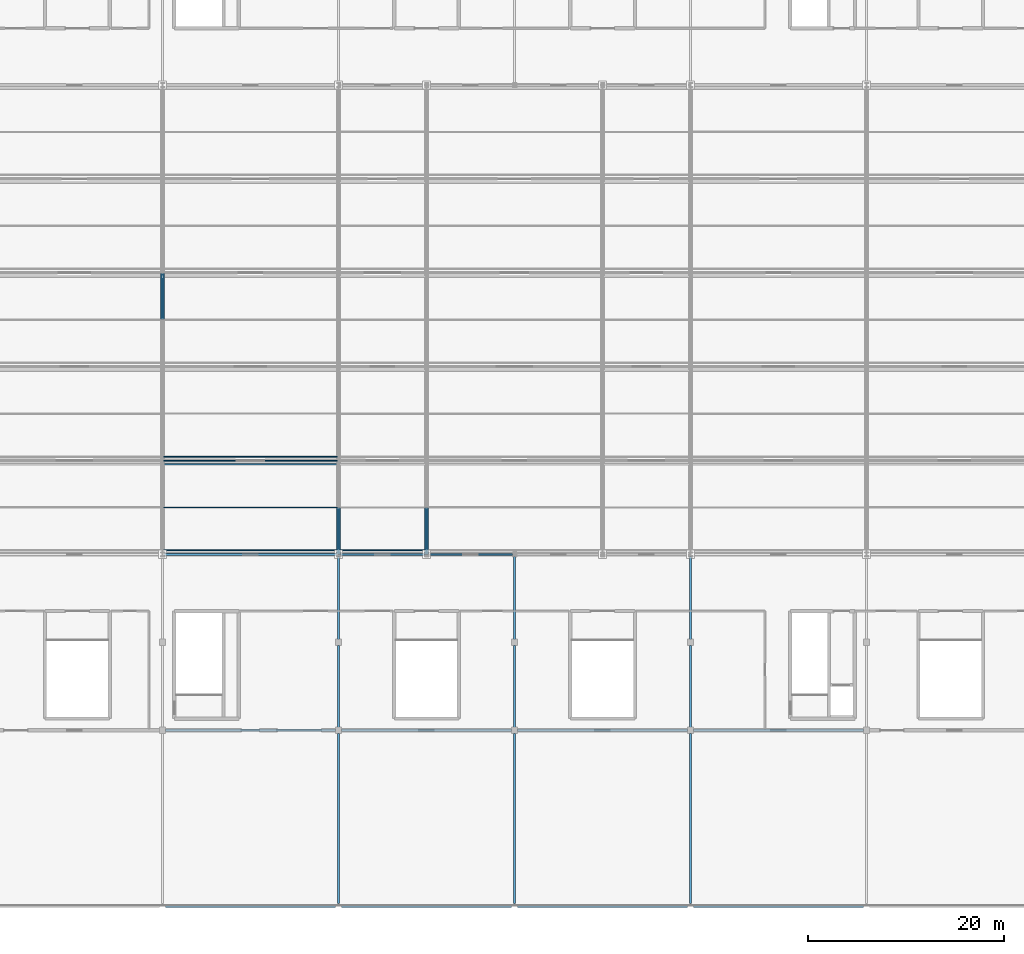
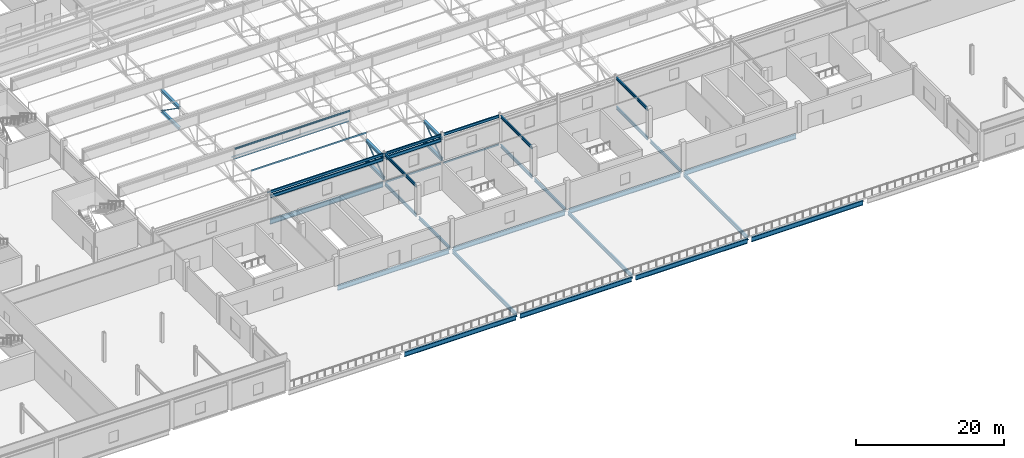
# One storey, part 21 of 136: 34 beams, 9 members.
"""IFC4 building model written with IfcOpenShell, lengths in metres."""

from ifc_helpers import new_model, si_unit, direction, frame, origin, origin_2d, place, context, subcontext, project, spatial, hollow_rectangle, hollow_circle, i_section, u_section, extrude, material, material_profile, profile_set, type_object, element, save


model = new_model("IFC4")

# Units and contexts
model_context = context("Model", 3, precision=1e-05, world=origin(), true_north=direction((0.0, 1.0)))
body_context = subcontext(model_context, "Body", "Model", "MODEL_VIEW")
ifc_project = project(units=[si_unit("LENGTHUNIT", "METRE"), si_unit("AREAUNIT", "SQUARE_METRE"), si_unit("VOLUMEUNIT", "CUBIC_METRE"), si_unit("PLANEANGLEUNIT", "RADIAN"), si_unit("MASSUNIT", "GRAM", prefix="KILO")], contexts=[model_context])

# Site, building, storey
site_placement = place(None, origin())
site = spatial("IfcSite", under=ifc_project, at=site_placement, CompositionType="ELEMENT")
building_placement = place(site_placement, origin())
building = spatial("IfcBuilding", under=site, at=building_placement, Name="Kisiwana Market Hall", CompositionType="ELEMENT")
storey_placement = place(building_placement, frame((0.0, 0.0, 16.800048828125)))
storey = spatial("IfcBuildingStorey", under=building, at=storey_placement, Name="L03", CompositionType="ELEMENT", Elevation=16.800048828125)

# Beams
ifc_material_1 = material(Name="Steel S355", Category="steel")
ifc_material_profile_1 = material_profile(ifc_material_1, i_section(OverallWidth=0.19140625, OverallDepth=0.4599609375, WebThickness=0.010009765625, FlangeThickness=0.01611328125, at=origin_2d()), Name="UB 457x191x82")
ifc_profile_set_1 = profile_set([ifc_material_profile_1], Name="Steel S355")
beam_type_1 = type_object("IfcBeamType", Name="BM-GIRD-UB457H", PredefinedType="BEAM", material=ifc_profile_set_1)
beam_1_placement = place(storey_placement, frame((63.201904296875, 36.0, 4.27783203125), z_axis=(1.0, 0.0, 0.0), x_axis=(0.0, 1.0, 0.0)))
element("IfcBeam", 1, at=beam_1_placement, inside=storey, type_object=beam_type_1, Name="Roof girder B-1138", PredefinedType="BEAM", context=body_context, shape_type="SweptSolid", body=[
    extrude(i_section(OverallWidth=0.19140625, OverallDepth=0.4599609375, WebThickness=0.010009765625, FlangeThickness=0.01611328125, at=origin_2d()), origin(), (0.0, 0.0, 1.0), 17.59619140625),
])
for number, where, z_axis, x_axis, name in (
    (2, (81.201904296875, 36.0, 4.27783203125), (1.0, 0.0, 0.0), (0.0, 1.0, 0.0), "Roof girder B-1139"),
    (3, (90.201904296875, 36.0, 4.27783203125), (1.0, 0.0, 0.0), (0.0, 1.0, 0.0), "Roof girder B-1140"),
):
    element("IfcBeam", number, at=place(storey_placement, frame(where, z_axis=z_axis, x_axis=x_axis)), inside=storey, type_object=beam_type_1, Name=name, PredefinedType="BEAM", context=body_context, shape_type="SweptSolid", body=[
        extrude(i_section(OverallWidth=0.19140625, OverallDepth=0.4599609375, WebThickness=0.010009765625, FlangeThickness=0.01611328125, at=origin_2d()), origin(), (0.0, 0.0, 1.0), 8.59619140625),
    ])
for number, where, z_axis, x_axis, name in (
    (4, (81.0, 27.321044921875, 4.27783203125), (0.0, 1.0, 0.0), (-1.0, 0.0, 0.0), "Roof girder B-1146"),
    (5, (99.0, 27.321044921875, 4.27783203125), (0.0, 1.0, 0.0), (-1.0, 0.0, 0.0), "Roof girder B-1147"),
    (6, (117.0, 27.321044921875, 4.27783203125), (0.0, 1.0, 0.0), (-1.0, 0.0, 0.0), "Roof girder B-1148"),
):
    element("IfcBeam", number, at=place(storey_placement, frame(where, z_axis=z_axis, x_axis=x_axis)), inside=storey, type_object=beam_type_1, Name=name, PredefinedType="BEAM", context=body_context, shape_type="SweptSolid", body=[
        extrude(i_section(OverallWidth=0.19140625, OverallDepth=0.4599609375, WebThickness=0.010009765625, FlangeThickness=0.01611328125, at=origin_2d()), origin(), (0.0, 0.0, 1.0), 8.465576171875),
    ])
ifc_material_2 = material(Name="Steel S355", Category="steel")
ifc_material_profile_2 = material_profile(ifc_material_2, i_section(OverallWidth=0.209228515625, OverallDepth=0.533203125, WebThickness=0.010009765625, FlangeThickness=0.015625, at=origin_2d()), Name="UB 533x210x92")
ifc_profile_set_2 = profile_set([ifc_material_profile_2], Name="Steel S355")
beam_type_2 = type_object("IfcBeamType", Name="BM-GIRD-UB533", PredefinedType="BEAM", material=ifc_profile_set_2)
beam_2_placement = place(storey_placement, frame((81.0, 18.321044921875, -0.5166015625), z_axis=(0.0, 1.0, 0.0), x_axis=(-1.0, 0.0, 0.0)))
element("IfcBeam", 7, at=beam_2_placement, inside=storey, type_object=beam_type_2, Name="Primary girder B-0890", PredefinedType="BEAM", context=body_context, shape_type="SweptSolid", body=[
    extrude(i_section(OverallWidth=0.209228515625, OverallDepth=0.533203125, WebThickness=0.010009765625, FlangeThickness=0.015625, at=origin_2d()), origin(), (0.0, 0.0, 1.0), 8.35791015625),
])
beam_3_placement = place(storey_placement, frame((81.0, 27.321044921875, -0.5166015625), z_axis=(0.0, 1.0, 0.0), x_axis=(-1.0, 0.0, 0.0)))
element("IfcBeam", 8, at=beam_3_placement, inside=storey, type_object=beam_type_2, Name="Primary girder B-0891", PredefinedType="BEAM", context=body_context, shape_type="SweptSolid", body=[
    extrude(i_section(OverallWidth=0.209228515625, OverallDepth=0.533203125, WebThickness=0.010009765625, FlangeThickness=0.015625, at=origin_2d()), origin(), (0.0, 0.0, 1.0), 8.465576171875),
])
beam_4_placement = place(storey_placement, frame((99.0, 18.321044921875, -0.5166015625), z_axis=(0.0, 1.0, 0.0), x_axis=(-1.0, 0.0, 0.0)))
element("IfcBeam", 9, at=beam_4_placement, inside=storey, type_object=beam_type_2, Name="Primary girder B-0896", PredefinedType="BEAM", context=body_context, shape_type="SweptSolid", body=[
    extrude(i_section(OverallWidth=0.209228515625, OverallDepth=0.533203125, WebThickness=0.010009765625, FlangeThickness=0.015625, at=origin_2d()), origin(), (0.0, 0.0, 1.0), 8.35791015625),
])
beam_5_placement = place(storey_placement, frame((99.0, 27.321044921875, -0.5166015625), z_axis=(0.0, 1.0, 0.0), x_axis=(-1.0, 0.0, 0.0)))
element("IfcBeam", 10, at=beam_5_placement, inside=storey, type_object=beam_type_2, Name="Primary girder B-0897", PredefinedType="BEAM", context=body_context, shape_type="SweptSolid", body=[
    extrude(i_section(OverallWidth=0.209228515625, OverallDepth=0.533203125, WebThickness=0.010009765625, FlangeThickness=0.015625, at=origin_2d()), origin(), (0.0, 0.0, 1.0), 8.465576171875),
])
beam_6_placement = place(storey_placement, frame((117.0, 18.321044921875, -0.5166015625), z_axis=(0.0, 1.0, 0.0), x_axis=(-1.0, 0.0, 0.0)))
element("IfcBeam", 11, at=beam_6_placement, inside=storey, type_object=beam_type_2, Name="Primary girder B-0902", PredefinedType="BEAM", context=body_context, shape_type="SweptSolid", body=[
    extrude(i_section(OverallWidth=0.209228515625, OverallDepth=0.533203125, WebThickness=0.010009765625, FlangeThickness=0.015625, at=origin_2d()), origin(), (0.0, 0.0, 1.0), 8.35791015625),
])
beam_7_placement = place(storey_placement, frame((117.0, 27.321044921875, -0.5166015625), z_axis=(0.0, 1.0, 0.0), x_axis=(-1.0, 0.0, 0.0)))
element("IfcBeam", 12, at=beam_7_placement, inside=storey, type_object=beam_type_2, Name="Primary girder B-0903", PredefinedType="BEAM", context=body_context, shape_type="SweptSolid", body=[
    extrude(i_section(OverallWidth=0.209228515625, OverallDepth=0.533203125, WebThickness=0.010009765625, FlangeThickness=0.015625, at=origin_2d()), origin(), (0.0, 0.0, 1.0), 8.465576171875),
])
beam_8_placement = place(storey_placement, frame((63.199951171875, 36.0, 3.54345703125), z_axis=(1.0, 0.0, 0.0), x_axis=(0.0, 1.0, 0.0)))
element("IfcBeam", 13, at=beam_8_placement, inside=storey, type_object=beam_type_2, Name="Truss eaves tie B-1165", PredefinedType="BEAM", context=body_context, shape_type="SweptSolid", body=[
    extrude(i_section(OverallWidth=0.209228515625, OverallDepth=0.533203125, WebThickness=0.010009765625, FlangeThickness=0.015625, at=origin_2d()), origin(), (0.0, 0.0, 1.0), 17.60009765625),
])
beam_9_placement = place(storey_placement, frame((81.199951171875, 36.0, 3.54345703125), z_axis=(1.0, 0.0, 0.0), x_axis=(0.0, 1.0, 0.0)))
element("IfcBeam", 14, at=beam_9_placement, inside=storey, type_object=beam_type_2, Name="Truss eaves tie B-1167", PredefinedType="BEAM", context=body_context, shape_type="SweptSolid", body=[
    extrude(i_section(OverallWidth=0.209228515625, OverallDepth=0.533203125, WebThickness=0.010009765625, FlangeThickness=0.015625, at=origin_2d()), origin(), (0.0, 0.0, 1.0), 8.60009765625),
])
ifc_material_3 = material(Name="Steel S355", Category="steel")
ifc_material_profile_3 = material_profile(ifc_material_3, i_section(OverallWidth=0.22900390625, OverallDepth=0.6123046875, WebThickness=0.011962890625, FlangeThickness=0.01953125, at=origin_2d()), Name="UB 610x229x125")
ifc_profile_set_3 = profile_set([ifc_material_profile_3], Name="Steel S355")
beam_type_3 = type_object("IfcBeamType", Name="BM-GIRD-UB610H", PredefinedType="BEAM", material=ifc_profile_set_3)
for number, where, z_axis, x_axis, name in (
    (15, (81.0, 0.321044921875, -0.564208984375), (0.0, 1.0, 0.0), (-1.0, 0.0, 0.0), "Primary girder B-0889"),
    (16, (99.0, 0.321044921875, -0.564208984375), (0.0, 1.0, 0.0), (-1.0, 0.0, 0.0), "Primary girder B-0895"),
    (17, (117.0, 0.321044921875, -0.564208984375), (0.0, 1.0, 0.0), (-1.0, 0.0, 0.0), "Primary girder B-0901"),
):
    element("IfcBeam", number, at=place(storey_placement, frame(where, z_axis=z_axis, x_axis=x_axis)), inside=storey, type_object=beam_type_3, Name=name, PredefinedType="BEAM", context=body_context, shape_type="SweptSolid", body=[
        extrude(i_section(OverallWidth=0.22900390625, OverallDepth=0.6123046875, WebThickness=0.011962890625, FlangeThickness=0.01953125, at=origin_2d()), origin(), (0.0, 0.0, 1.0), 17.35791015625),
    ])
ifc_material_4 = material(Name="Steel S355", Category="steel")
ifc_material_profile_4 = material_profile(ifc_material_4, i_section(OverallWidth=0.2666015625, OverallDepth=0.76220703125, WebThickness=0.014404296875, FlangeThickness=0.021484375, at=origin_2d()), Name="UB 762x267x173")
ifc_profile_set_4 = profile_set([ifc_material_profile_4], Name="Steel S355")
beam_type_4 = type_object("IfcBeamType", Name="BM-GIRD-UB762", PredefinedType="BEAM", material=ifc_profile_set_4)
for number, where, z_axis, x_axis, name in (
    (18, (63.321044921875, 0.0, -0.63916015625), (1.0, 0.0, 0.0), (0.0, 1.0, 0.0), "Floor beam B-0976"),
    (19, (81.321044921875, 0.0, -0.63916015625), (1.0, 0.0, 0.0), (0.0, 1.0, 0.0), "Floor beam B-0977"),
    (20, (99.321044921875, 0.0, -0.63916015625), (1.0, 0.0, 0.0), (0.0, 1.0, 0.0), "Floor beam B-0978"),
    (21, (117.321044921875, 0.0, -0.63916015625), (1.0, 0.0, 0.0), (0.0, 1.0, 0.0), "Floor beam B-0979"),
    (22, (63.321044921875, 18.0, -0.63916015625), (1.0, 0.0, 0.0), (0.0, 1.0, 0.0), "Floor beam B-0998"),
    (23, (81.321044921875, 18.0, -0.63916015625), (1.0, 0.0, 0.0), (0.0, 1.0, 0.0), "Floor beam B-0999"),
    (24, (99.321044921875, 18.0, -0.63916015625), (1.0, 0.0, 0.0), (0.0, 1.0, 0.0), "Floor beam B-1000"),
    (25, (117.321044921875, 18.0, -0.63916015625), (1.0, 0.0, 0.0), (0.0, 1.0, 0.0), "Floor beam B-1001"),
):
    element("IfcBeam", number, at=place(storey_placement, frame(where, z_axis=z_axis, x_axis=x_axis)), inside=storey, type_object=beam_type_4, Name=name, PredefinedType="BEAM", context=body_context, shape_type="SweptSolid", body=[
        extrude(i_section(OverallWidth=0.2666015625, OverallDepth=0.76220703125, WebThickness=0.014404296875, FlangeThickness=0.021484375, at=origin_2d()), origin(), (0.0, 0.0, 1.0), 17.35791015625),
    ])
beam_10_placement = place(storey_placement, frame((63.201904296875, 36.0, -0.631103515625), z_axis=(1.0, 0.0, 0.0), x_axis=(0.0, 1.0, 0.0)))
element("IfcBeam", 26, at=beam_10_placement, inside=storey, type_object=beam_type_4, Name="Floor beam B-1012", PredefinedType="BEAM", context=body_context, shape_type="SweptSolid", body=[
    extrude(i_section(OverallWidth=0.2666015625, OverallDepth=0.76220703125, WebThickness=0.014404296875, FlangeThickness=0.021484375, at=origin_2d()), origin(), (0.0, 0.0, 1.0), 17.59619140625),
])
ifc_material_5 = material(Name="Steel S355", Category="steel")
ifc_material_profile_5 = material_profile(ifc_material_5, hollow_rectangle(XDim=0.14990234375, YDim=0.25, WallThickness=0.010009765625, at=origin_2d()), Name="RHS 250x150x10.0")
ifc_profile_set_5 = profile_set([ifc_material_profile_5], Name="Steel S355")
beam_type_5 = type_object("IfcBeamType", Name="BM-SPAN-RHS250", PredefinedType="SPANDREL", material=ifc_profile_set_5)
for number, where, z_axis, x_axis, name in (
    (27, (81.201904296875, 36.0, -0.375), (1.0, 0.0, 0.0), (0.0, 1.0, 0.0), "Floor beam B-1013"),
    (28, (90.201904296875, 36.0, -0.375), (1.0, 0.0, 0.0), (0.0, 1.0, 0.0), "Floor beam B-1014"),
):
    element("IfcBeam", number, at=place(storey_placement, frame(where, z_axis=z_axis, x_axis=x_axis)), inside=storey, type_object=beam_type_5, Name=name, PredefinedType="SPANDREL", context=body_context, shape_type="SweptSolid", body=[
        extrude(hollow_rectangle(XDim=0.14990234375, YDim=0.25, WallThickness=0.010009765625, at=origin_2d()), origin(), (0.0, 0.0, 1.0), 8.59619140625),
    ])
ifc_material_6 = material(Name="Steel S355", Category="steel")
ifc_material_profile_6 = material_profile(ifc_material_6, i_section(OverallWidth=0.394775390625, OverallDepth=0.381103515625, WebThickness=0.018310546875, FlangeThickness=0.0302734375, at=origin_2d()), Name="UC 356x406x235")
ifc_profile_set_6 = profile_set([ifc_material_profile_6], Name="Steel S355")
beam_type_6 = type_object("IfcBeamType", Name="BM-TRUSS-BOT", PredefinedType="USERDEFINED", material=ifc_profile_set_6)
for number, where, z_axis, x_axis, name in (
    (29, (63.0, 60.0, 0.22998046875), (0.0, 1.0, 0.0), (-1.0, 0.0, 0.0), "TR-02 BC panel 6 B-1203"),
    (30, (81.0, 36.0, 0.22998046875), (0.0, 1.0, 0.0), (-1.0, 0.0, 0.0), "TR-03 BC panel 1 B-1217"),
    (31, (90.0, 36.0, 0.22998046875), (0.0, 1.0, 0.0), (-1.0, 0.0, 0.0), "TR-04 BC panel 1 B-1237"),
):
    element("IfcBeam", number, at=place(storey_placement, frame(where, z_axis=z_axis, x_axis=x_axis)), inside=storey, type_object=beam_type_6, Name=name, ObjectType="ROOF TRUSS", PredefinedType="USERDEFINED", context=body_context, shape_type="SweptSolid", body=[
        extrude(i_section(OverallWidth=0.394775390625, OverallDepth=0.381103515625, WebThickness=0.018310546875, FlangeThickness=0.0302734375, at=origin_2d()), origin(), (0.0, 0.0, 1.0), 4.800048828125),
    ])
ifc_material_7 = material(Name="Steel S355", Category="steel")
ifc_material_profile_7 = material_profile(ifc_material_7, i_section(OverallWidth=0.39892578125, OverallDepth=0.3935546875, WebThickness=0.022705078125, FlangeThickness=0.03662109375, at=origin_2d()), Name="UC 356x406x287")
ifc_profile_set_7 = profile_set([ifc_material_profile_7], Name="Steel S355")
beam_type_7 = type_object("IfcBeamType", Name="BM-TRUSS-TOP", PredefinedType="USERDEFINED", material=ifc_profile_set_7)
for number, where, z_axis, x_axis, name in (
    (32, (63.0, 60.0, 3.619873046875), (0.0, 1.0, 0.0), (-1.0, 0.0, 0.0), "TR-02 TC panel 6 B-1213"),
    (33, (81.0, 36.0, 3.619873046875), (0.0, 1.0, 0.0), (-1.0, 0.0, 0.0), "TR-03 TC panel 1 B-1227"),
    (34, (90.0, 36.0, 3.619873046875), (0.0, 1.0, 0.0), (-1.0, 0.0, 0.0), "TR-04 TC panel 1 B-1247"),
):
    element("IfcBeam", number, at=place(storey_placement, frame(where, z_axis=z_axis, x_axis=x_axis)), inside=storey, type_object=beam_type_7, Name=name, ObjectType="ROOF TRUSS", PredefinedType="USERDEFINED", context=body_context, shape_type="SweptSolid", body=[
        extrude(i_section(OverallWidth=0.39892578125, OverallDepth=0.3935546875, WebThickness=0.022705078125, FlangeThickness=0.03662109375, at=origin_2d()), origin(), (0.0, 0.0, 1.0), 4.800048828125),
    ])

# Members
ifc_material_8 = material(Name="Steel S355", Category="steel")
ifc_material_profile_8 = material_profile(ifc_material_8, u_section(Depth=0.260009765625, FlangeWidth=0.090087890625, WebThickness=0.008056640625, FlangeThickness=0.013916015625, at=origin_2d()), Name="PFC 260x90x35")
ifc_profile_set_8 = profile_set([ifc_material_profile_8], Name="Steel S355")
member_type_1 = type_object("IfcMemberType", Name="MB-PURL-PFC260", PredefinedType="PURLIN", material=ifc_profile_set_8)
member_1_placement = place(storey_placement, frame((63.0, 40.800048828125, 4.90625), z_axis=(1.0, 0.0, 0.0), x_axis=(0.0, 1.0, 0.0)))
element("IfcMember", 35, at=member_1_placement, inside=storey, type_object=member_type_1, Name="Sawtooth mid-slope roof purlin 10 M-0092", PredefinedType="PURLIN", context=body_context, shape_type="SweptSolid", body=[
    extrude(u_section(Depth=0.260009765625, FlangeWidth=0.090087890625, WebThickness=0.008056640625, FlangeThickness=0.013916015625, at=origin_2d()), origin(), (0.0, 0.0, 1.0), 18.0),
])
ifc_material_9 = material(Name="Steel S355", Category="steel")
ifc_material_profile_9 = material_profile(ifc_material_9, hollow_rectangle(XDim=0.10009765625, YDim=0.199951171875, WallThickness=0.008056640625, at=origin_2d()), Name="RHS 200x100x8.0")
ifc_profile_set_9 = profile_set([ifc_material_profile_9], Name="Steel S355")
member_type_2 = type_object("IfcMemberType", Name="MB-ROOF-PURLIN1", PredefinedType="PURLIN", material=ifc_profile_set_9)
for number, where, z_axis, x_axis, name in (
    (36, (63.0, 36.39990234375, 4.0009765625), (1.0, 0.0, 0.0), (0.0, 1.0, 0.0), "Sawtooth roof purlin 180 M-0129"),
    (37, (63.0, 45.60009765625, 3.90087890625), (1.0, 0.0, 0.0), (0.0, 1.0, 0.0), "Sawtooth roof purlin 182 M-0131"),
):
    element("IfcMember", number, at=place(storey_placement, frame(where, z_axis=z_axis, x_axis=x_axis)), inside=storey, type_object=member_type_2, Name=name, PredefinedType="PURLIN", context=body_context, shape_type="SweptSolid", body=[
        extrude(hollow_rectangle(XDim=0.10009765625, YDim=0.199951171875, WallThickness=0.008056640625, at=origin_2d()), origin(), (0.0, 0.0, 1.0), 18.0),
    ])
member_2_placement = place(storey_placement, frame((81.0, 36.39990234375, 4.0009765625), z_axis=(1.0, 0.0, 0.0), x_axis=(0.0, 1.0, 0.0)))
element("IfcMember", 38, at=member_2_placement, inside=storey, type_object=member_type_2, Name="Sawtooth roof purlin 183 M-0132", PredefinedType="PURLIN", context=body_context, shape_type="SweptSolid", body=[
    extrude(hollow_rectangle(XDim=0.10009765625, YDim=0.199951171875, WallThickness=0.008056640625, at=origin_2d()), origin(), (0.0, 0.0, 1.0), 9.0),
])
member_3_placement = place(storey_placement, frame((63.0, 46.0, 4.0009765625), z_axis=(1.0, 0.0, 0.0), x_axis=(0.0, 1.0, 0.0)))
element("IfcMember", 39, at=member_3_placement, inside=storey, type_object=member_type_2, Name="Sawtooth roof purlin 225 M-0150", PredefinedType="PURLIN", context=body_context, shape_type="SweptSolid", body=[
    extrude(hollow_rectangle(XDim=0.10009765625, YDim=0.199951171875, WallThickness=0.008056640625, at=origin_2d()), origin(), (0.0, 0.0, 1.0), 18.0),
])
ifc_material_10 = material(Name="Steel S355", Category="steel")
ifc_material_profile_10 = material_profile(ifc_material_10, i_section(OverallWidth=0.146484375, OverallDepth=0.256103515625, WebThickness=0.00634765625, FlangeThickness=0.010986328125, at=origin_2d()), Name="UB 254x146x37")
ifc_profile_set_10 = profile_set([ifc_material_profile_10], Name="Steel S355")
member_type_3 = type_object("IfcMemberType", Name="MB-ROOF-PURLIN2", PredefinedType="PURLIN", material=ifc_profile_set_10)
member_4_placement = place(storey_placement, frame((63.0, 45.199951171875, 5.843505859375), z_axis=(1.0, 0.0, 0.0), x_axis=(0.0, 1.0, 0.0)))
element("IfcMember", 40, at=member_4_placement, inside=storey, type_object=member_type_3, Name="Sawtooth roof purlin 181 M-0130", PredefinedType="PURLIN", context=body_context, shape_type="SweptSolid", body=[
    extrude(i_section(OverallWidth=0.146484375, OverallDepth=0.256103515625, WebThickness=0.00634765625, FlangeThickness=0.010986328125, at=origin_2d()), origin(), (0.0, 0.0, 1.0), 18.0),
])
ifc_material_11 = material(Name="Steel S355", Category="steel")
ifc_material_profile_11 = material_profile(ifc_material_11, hollow_circle(Radius=0.084228515625, WallThickness=0.010009765625, at=origin_2d()), Name="CHS 168.3x10.0")
ifc_profile_set_11 = profile_set([ifc_material_profile_11], Name="Steel S355")
member_type_4 = type_object("IfcMemberType", Name="MB-TR-DIAG168", PredefinedType="BRACE", material=ifc_profile_set_11)
member_5_placement = place(storey_placement, frame((63.0, 60.0, 3.619873046875), z_axis=(0.0, 0.816837735077, -0.576867501732), x_axis=(-1.0, 0.0, 0.0)))
element("IfcMember", 41, at=member_5_placement, inside=storey, type_object=member_type_4, Name="TR-02 diagonal 6 M-0360", PredefinedType="BRACE", context=body_context, shape_type="SweptSolid", body=[
    extrude(hollow_circle(Radius=0.084228515625, WallThickness=0.010009765625, at=origin_2d()), origin(), (0.0, 0.0, 1.0), 5.87646484375),
])
ifc_material_12 = material(Name="Steel S355", Category="steel")
ifc_material_profile_12 = material_profile(ifc_material_12, hollow_circle(Radius=0.109619140625, WallThickness=0.012451171875, at=origin_2d()), Name="CHS 219.1x12.5")
ifc_profile_set_12 = profile_set([ifc_material_profile_12], Name="Steel S355")
member_type_5 = type_object("IfcMemberType", Name="MB-TR-DIAG219", PredefinedType="BRACE", material=ifc_profile_set_12)
for number, where, z_axis, x_axis, name in (
    (42, (81.0, 36.0, 0.22998046875), (0.0, 0.816837735077, 0.576867501732), (-1.0, 0.0, 0.0), "TR-03 diagonal 1 M-0373"),
    (43, (90.0, 36.0, 0.22998046875), (0.0, 0.816837735077, 0.576867501732), (-1.0, 0.0, 0.0), "TR-04 diagonal 1 M-0392"),
):
    element("IfcMember", number, at=place(storey_placement, frame(where, z_axis=z_axis, x_axis=x_axis)), inside=storey, type_object=member_type_5, Name=name, PredefinedType="BRACE", context=body_context, shape_type="SweptSolid", body=[
        extrude(hollow_circle(Radius=0.109619140625, WallThickness=0.012451171875, at=origin_2d()), origin(), (0.0, 0.0, 1.0), 5.87646484375),
    ])

save(model, "model.ifc")
